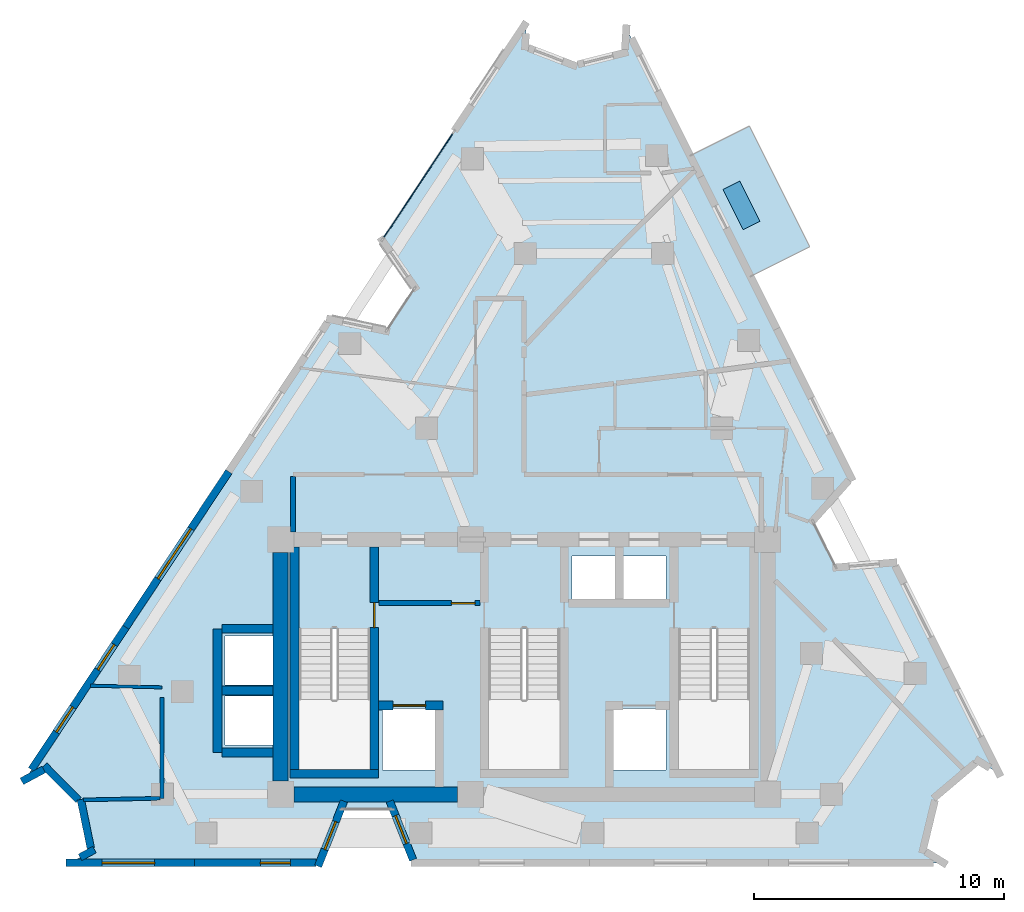
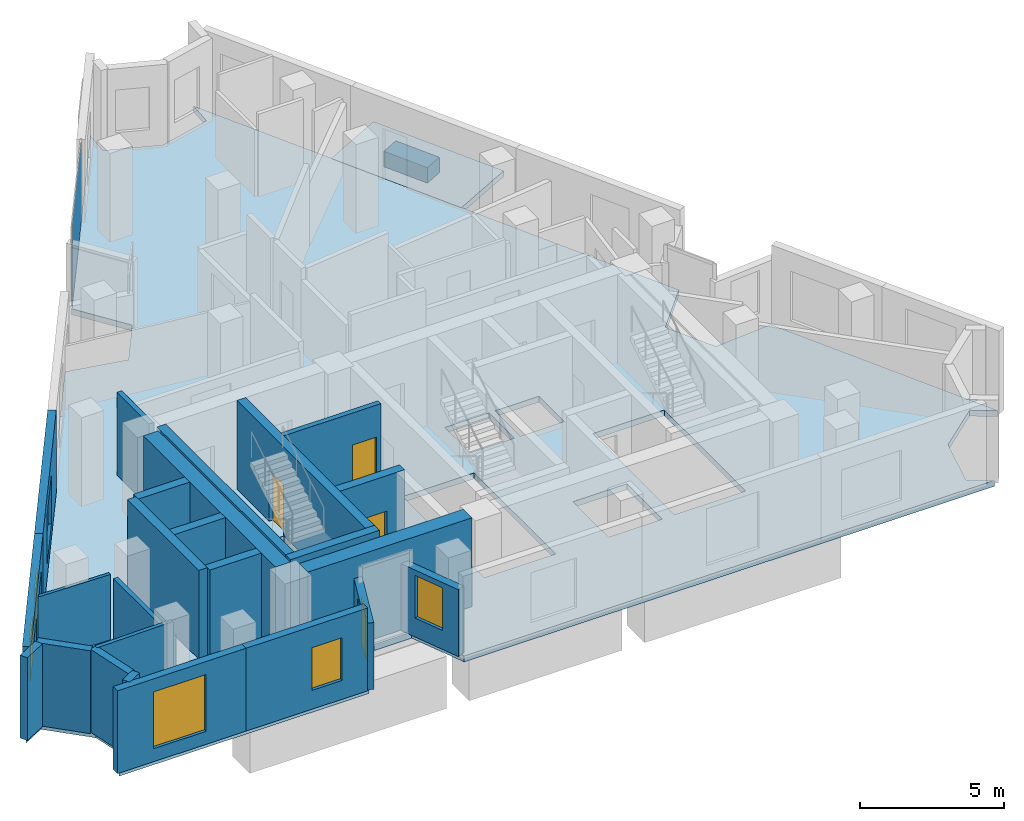
# One storey, part 5 of 9: 25 walls, 7 windows, 3 doors, 2 plates, 2 slabs, 10 openings, 1 element without a shape of its own.
"""IFC4 building model written with IfcOpenShell, lengths in metres."""

import ifcopenshell
import ifcopenshell.guid

model = None  # the IFC model being written
_history = None  # IfcOwnerHistory: only IFC2X3 demands one
_inside = {}  # id of a spatial element -> (the spatial element, [elements in it])
_under = {}  # id of a project, library or spatial element -> (it, [spatial elements below it])
_declared = {}  # id of a project -> (the project, [libraries it declares])
_typed = {}  # id of a type object -> (the type object, [elements of that type])
_made_of = {}  # id of a material, layer set ... -> (it, [elements and type objects made of it])


def new_model(schema):
    """Start an empty IFC model of exactly this schema.

    Asked for "IFC4X3", IfcOpenShell would pick the latest addendum, in which some entities
    have other attributes; the version numbers below select the first issue.
    IFC2X3 requires an IfcOwnerHistory on every rooted entity: one is made here for all.
    """
    global model, _history
    if schema == "IFC4X3":
        model = ifcopenshell.file(schema_version=(4, 3, 0, 0))
    else:
        model = ifcopenshell.file(schema=schema)
    _inside.clear()
    _under.clear()
    _declared.clear()
    _typed.clear()
    _made_of.clear()
    _history = None
    if model.schema == "IFC2X3":
        org = make("IfcOrganization", Name="unknown")
        user = make(
            "IfcPersonAndOrganization",
            ThePerson=make("IfcPerson", FamilyName="unknown"),
            TheOrganization=org,
        )
        app = make(
            "IfcApplication",
            ApplicationDeveloper=org,
            Version="unknown",
            ApplicationFullName="unknown",
            ApplicationIdentifier="unknown",
        )
        _history = make(
            "IfcOwnerHistory",
            OwningUser=user,
            OwningApplication=app,
            ChangeAction="ADDED",
            CreationDate=0,
        )
    return model


def make(cls, **values):
    """One entity of the class cls with the attributes given. An attribute that is None is left unset."""
    return model.create_entity(
        cls, **{name: value for name, value in values.items() if value is not None}
    )


def rooted(cls, **values):
    """An entity with a GlobalId (a new one), such as an element, a storey or a relation."""
    return make(cls, GlobalId=ifcopenshell.guid.new(), OwnerHistory=_history, **values)


def si_unit(unit_type, name, prefix=None):
    """IfcSIUnit, for example si_unit("LENGTHUNIT", "METRE", prefix="MILLI")."""
    return make("IfcSIUnit", UnitType=unit_type, Prefix=prefix, Name=name)


def assignment(units):
    """IfcUnitAssignment: the units of a project."""
    return None if units is None else make("IfcUnitAssignment", Units=units)


def point(xyz):
    """IfcCartesianPoint."""
    return None if xyz is None else make("IfcCartesianPoint", Coordinates=xyz)


def direction(xyz):
    """IfcDirection."""
    return None if xyz is None else make("IfcDirection", DirectionRatios=xyz)


def frame(location, z_axis=None, x_axis=None):
    """IfcAxis2Placement3D, a coordinate frame: its origin and axes. An axis left out is left unset."""
    return make(
        "IfcAxis2Placement3D",
        Location=point(location),
        Axis=direction(z_axis),
        RefDirection=direction(x_axis),
    )


def frame_2d(location, x_axis=None):
    """IfcAxis2Placement2D, a coordinate frame in the plane: its origin and x axis."""
    return make(
        "IfcAxis2Placement2D", Location=point(location), RefDirection=direction(x_axis)
    )


def origin():
    """The frame at (0, 0, 0) with its axes left unset."""
    return frame((0.0, 0.0, 0.0))


def origin_2d():
    """The frame at (0, 0) in the plane with its x axis left unset."""
    return frame_2d((0.0, 0.0))


def place(relative_to, where):
    """IfcLocalPlacement: puts the frame where relative to a parent placement (None: the world)."""
    return make(
        "IfcLocalPlacement", PlacementRelTo=relative_to, RelativePlacement=where
    )


def context(
    kind, dimensions, precision=None, world=None, true_north=None, identifier=None
):
    """IfcGeometricRepresentationContext, for example the 3D "Model" context."""
    return make(
        "IfcGeometricRepresentationContext",
        ContextIdentifier=identifier,
        ContextType=kind,
        CoordinateSpaceDimension=dimensions,
        Precision=precision,
        WorldCoordinateSystem=world,
        TrueNorth=true_north,
    )


def subcontext(parent, identifier, kind, view, scale=None):
    """IfcGeometricRepresentationSubContext, for example "Body" below "Model"."""
    return make(
        "IfcGeometricRepresentationSubContext",
        ContextIdentifier=identifier,
        ContextType=kind,
        ParentContext=parent,
        TargetScale=scale,
        TargetView=view,
    )


def project(units=None, contexts=None):
    """IfcProject with its units and contexts."""
    return rooted(
        "IfcProject",
        Name="project",
        RepresentationContexts=contexts,
        UnitsInContext=assignment(units),
    )


def spatial(cls, under=None, at=None, **own):
    """A site, building, storey or space (cls), placed at a placement, below another one or the project."""
    s = rooted(cls, ObjectPlacement=at, **own)
    if under is not None:
        _under.setdefault(under.id(), (under, []))[1].append(s)
    return s


def polyline(points):
    """IfcPolyline through the points."""
    return make("IfcPolyline", Points=[point(p) for p in points])


def profile(cls, at=None, kind="AREA", **sizes):
    """A parametric profile (cls). Its sizes go by their IFC names, for example OverallWidth=200.0."""
    return make(cls, ProfileType=kind, Position=at, **sizes)


def rectangle(**sizes):
    """IfcRectangleProfileDef."""
    return profile("IfcRectangleProfileDef", **sizes)


def outline(outer, holes=None, kind="AREA"):
    """IfcArbitraryClosedProfileDef: a profile drawn as a closed curve; with holes, ...WithVoids."""
    if holes is None:
        return make("IfcArbitraryClosedProfileDef", ProfileType=kind, OuterCurve=outer)
    return make(
        "IfcArbitraryProfileDefWithVoids",
        ProfileType=kind,
        OuterCurve=outer,
        InnerCurves=holes,
    )


def extrude(swept, where, along, depth):
    """IfcExtrudedAreaSolid: the profile swept, set in the frame where, extruded along a direction by depth."""
    return make(
        "IfcExtrudedAreaSolid",
        SweptArea=swept,
        Position=where,
        ExtrudedDirection=direction(along),
        Depth=depth,
    )


def shape(context_of_items, identifier, shape_type, items):
    """IfcShapeRepresentation: the items that make up one representation, for example the "Body"."""
    return make(
        "IfcShapeRepresentation",
        ContextOfItems=context_of_items,
        RepresentationIdentifier=identifier,
        RepresentationType=shape_type,
        Items=items,
    )


def material(Name=None, Category=None):
    """IfcMaterial."""
    return make("IfcMaterial", Name=Name, Category=Category)


def layer(
    of_material, thickness, ventilated=None, Name=None, Category=None, Priority=None
):
    """IfcMaterialLayer: one layer of a wall or slab, of a material (None: an air gap)."""
    return make(
        "IfcMaterialLayer",
        Material=of_material,
        LayerThickness=thickness,
        IsVentilated=ventilated,
        Name=Name,
        Category=Category,
        Priority=Priority,
    )


def layer_set(layers, Name=None):
    """IfcMaterialLayerSet."""
    return make("IfcMaterialLayerSet", MaterialLayers=layers, LayerSetName=Name)


def made_of(thing, what):
    """Note that an element or type object is made of a material, layer set ...; save() writes the relation."""
    if what is not None:
        _made_of.setdefault(what.id(), (what, []))[1].append(thing)
    return thing


def type_object(cls, material=None, **own):
    """A type object (cls), such as IfcWallType, which elements share."""
    return made_of(rooted(cls, **own), material)


def element(
    cls,
    number,
    at=None,
    inside=None,
    cuts=None,
    type_object=None,
    material=None,
    context=None,
    identifier="Body",
    shape_type=None,
    held_by="IfcProductDefinitionShape",
    body=None,
    shapes=None,
    **own,
):
    """One element of the class cls, such as IfcWall. Its Tag is "e" and its number.

    at: its placement. inside: the storey or other place that contains it. cuts: it is an
    opening in that element (IfcRelVoidsElement). A single representation is given by context,
    identifier, shape_type and body (its items); several are given by shapes. held_by: the class
    of the entity that holds the representations. save() writes the other relations.
    """
    e = rooted(cls, Tag="e%d" % number, ObjectPlacement=at, **own)
    if body is not None:
        shapes = [shape(context, identifier, shape_type, body)]
    if shapes is not None:
        e.Representation = make(held_by, Representations=shapes)
    if inside is not None:
        _inside.setdefault(inside.id(), (inside, []))[1].append(e)
    if cuts is not None:
        rooted(
            "IfcRelVoidsElement", RelatingBuildingElement=cuts, RelatedOpeningElement=e
        )
    if type_object is not None:
        _typed.setdefault(type_object.id(), (type_object, []))[1].append(e)
    return made_of(e, material)


def fill(opening, filler):
    """IfcRelFillsElement: the door or window that sits in an opening."""
    return rooted(
        "IfcRelFillsElement",
        RelatingOpeningElement=opening,
        RelatedBuildingElement=filler,
    )


def aggregate(whole, parts):
    """IfcRelAggregates: a whole, such as a stair, and the parts it consists of."""
    return rooted("IfcRelAggregates", RelatingObject=whole, RelatedObjects=parts)


def save(model, path):
    """Write the relations noted so far, then the file.

    IfcRelAggregates (storeys below a building ...), IfcRelContainedInSpatialStructure (elements
    in a storey), IfcRelDefinesByType, IfcRelAssociatesMaterial and IfcRelDeclares: one each for
    every whole, place, type object, material and project.
    """
    for whole, parts in _under.values():
        aggregate(whole, parts)
    for where, things in _inside.values():
        rooted(
            "IfcRelContainedInSpatialStructure",
            RelatedElements=things,
            RelatingStructure=where,
        )
    for kind, things in _typed.values():
        rooted("IfcRelDefinesByType", RelatedObjects=things, RelatingType=kind)
    for what, things in _made_of.values():
        rooted("IfcRelAssociatesMaterial", RelatedObjects=things, RelatingMaterial=what)
    for by, libraries in _declared.values():
        rooted("IfcRelDeclares", RelatingContext=by, RelatedDefinitions=libraries)
    model.write(path)


model = new_model("IFC4")

# Units and contexts
model_context = context("Model", 3, precision=1e-05, world=origin(), true_north=direction((0.0, 1.0)))
body_context = subcontext(model_context, "Body", "Model", "MODEL_VIEW")
ifc_project = project(units=[si_unit("LENGTHUNIT", "METRE"), si_unit("AREAUNIT", "SQUARE_METRE"), si_unit("VOLUMEUNIT", "CUBIC_METRE"), si_unit("PLANEANGLEUNIT", "RADIAN"), si_unit("MASSUNIT", "GRAM", prefix="KILO")], contexts=[model_context])

# Site, building, storey
site_placement = place(None, origin())
site = spatial("IfcSite", under=ifc_project, at=site_placement, CompositionType="ELEMENT")
building_placement = place(site_placement, origin())
building = spatial("IfcBuilding", under=site, at=building_placement, Name="Almagre Mirador Tower", CompositionType="ELEMENT")
storey_placement = place(building_placement, frame((0.0, 0.0, 252.0)))
storey = spatial("IfcBuildingStorey", under=building, at=storey_placement, Name="L65", CompositionType="ELEMENT", Elevation=252.0)

# Curtain wall, plate
ifc_material_1 = material(Name="Black anodized aluminium", Category="aluminium")
ifc_layer_1 = layer(ifc_material_1, 0.199951171875)
ifc_layer_set_1 = layer_set([ifc_layer_1], Name="Black anodized aluminium")
curtain_wall_type = type_object("IfcCurtainWallType", Name="CW-RES-H-SYS", PredefinedType="NOTDEFINED", material=ifc_layer_set_1)
curtain_wall_placement = place(storey_placement, origin())
curtain_wall = element("IfcCurtainWall", 1, at=curtain_wall_placement, inside=storey, type_object=curtain_wall_type, Name="L65 curtain wall run 02", PredefinedType="NOTDEFINED")
ifc_material_2 = material(Name="Dark solar-control laminated hurricane glass", Category="glass")
ifc_layer_2 = layer(ifc_material_2, 0.035888671875)
ifc_layer_set_2 = layer_set([ifc_layer_2], Name="Dark solar-control laminated hurricane glass")
plate_type_1 = type_object("IfcPlateType", Name="PLT-GLZ-36", PredefinedType="CURTAIN_PANEL", material=ifc_layer_set_2)
plate_1_placement = place(storey_placement, frame((33.056884765625, 28.9189453125, 0.06494140625), z_axis=(0.0, 0.0, 1.0), x_axis=(0.552140418377, 0.833751136967, 0.0)))
plate_1 = element("IfcPlate", 2, at=plate_1_placement, type_object=plate_type_1, Name="CW-3 panel 1.1", PredefinedType="CURTAIN_PANEL", context=body_context, shape_type="SweptSolid", body=[
    extrude(rectangle(XDim=5.104248046875, YDim=0.035888671875, at=origin_2d()), origin(), (0.0, 0.0, 1.0), 3.3701171875),
])
aggregate(curtain_wall, [plate_1])

# Plate
ifc_material_3 = material(Name="Precast concrete C50/60", Category="concrete")
ifc_layer_3 = layer(ifc_material_3, 0.64990234375)
ifc_layer_set_3 = layer_set([ifc_layer_3], Name="Precast concrete C50/60")
plate_type_2 = type_object("IfcPlateType", Name="PLT-PLANTER-1800", PredefinedType="USERDEFINED", material=ifc_layer_set_3)
plate_2_placement = place(storey_placement, frame((46.0, 28.125, 0.0), z_axis=(0.0, 0.0, 1.0), x_axis=(-0.44721279659, 0.894427590455, 0.0)))
element("IfcPlate", 3, at=plate_2_placement, inside=storey, type_object=plate_type_2, Name="L65 east balcony structural tree planter 1", ObjectType="PLANTER", PredefinedType="USERDEFINED", context=body_context, shape_type="SweptSolid", body=[
    extrude(rectangle(XDim=1.800048828125, YDim=0.75, at=origin_2d()), origin(), (0.0, 0.0, 1.0), 0.64990234375),
])

# Slabs
ifc_material_4 = material(Name="Concrete C45/55", Category="concrete")
ifc_layer_4 = layer(ifc_material_4, 0.239990234375)
ifc_layer_set_4 = layer_set([ifc_layer_4], Name="Concrete C45/55")
slab_type_1 = type_object("IfcSlabType", Name="SLB-BAL-240", PredefinedType="USERDEFINED", material=ifc_layer_set_4)
slab_1_placement = place(storey_placement, frame((0.0, 0.0, -0.239990234375)))
element("IfcSlab", 4, at=slab_1_placement, inside=storey, type_object=slab_type_1, Name="L65 east planted tree balcony 1", ObjectType="BALCONY", PredefinedType="USERDEFINED", context=body_context, shape_type="SweptSolid", body=[
    extrude(outline(polyline([(46.339111328125, 25.27587890625), (43.925048828125, 30.10595703125), (46.31298828125, 31.300048828125), (48.72802734375, 26.469970703125), (46.339111328125, 25.27587890625)])), origin(), (0.0, 0.0, 1.0), 0.239990234375),
])
ifc_material_5 = material(Name="Concrete C45/55", Category="concrete")
ifc_layer_5 = layer(ifc_material_5, 0.25)
ifc_layer_set_5 = layer_set([ifc_layer_5], Name="Concrete C45/55")
slab_type_2 = type_object("IfcSlabType", Name="SLB-FLR-250", PredefinedType="FLOOR", material=ifc_layer_set_5)
slab_2_placement = place(storey_placement, frame((0.0, 0.0, -0.25)))
element("IfcSlab", 5, at=slab_2_placement, inside=storey, type_object=slab_type_2, Name="L65 structural floor slab", PredefinedType="FLOOR", context=body_context, shape_type="SweptSolid", body=[
    extrude(outline(polyline([(17.30810546875, 5.135009765625), (18.180908203125, 5.60400390625), (19.574951171875, 4.2041015625), (19.971923828125, 2.26904296875), (19.10009765625, 1.800048828125), (29.10009765625, 1.800048828125), (29.955078125, 3.949951171875), (32.044921875, 3.949951171875), (32.89990234375, 1.800048828125), (54.10009765625, 1.800048828125), (53.258056640625, 2.320068359375), (53.779052734375, 4.470947265625), (55.468994140625, 5.89794921875), (56.31103515625, 5.3779296875), (52.0869140625, 13.824951171875), (49.781982421875, 13.62890625), (48.846923828125, 15.498046875), (50.387939453125, 17.22412109375), (41.388916015625, 35.221923828125), (41.3291015625, 34.23388671875), (39.2919921875, 33.72900390625), (37.33203125, 34.47705078125), (37.39208984375, 35.465087890625), (31.612060546875, 26.737060546875), (32.93310546875, 24.8369140625), (31.779052734375, 23.093994140625), (29.513916015625, 23.569091796875), (17.30810546875, 5.135009765625)]), holes=[polyline([(43.47509765625, 5.550048828125), (43.47509765625, 11.196044921875), (46.324951171875, 11.196044921875), (46.324951171875, 5.550048828125), (43.47509765625, 5.550048828125)]), polyline([(41.219970703125, 12.320068359375), (41.219970703125, 14.080078125), (42.97998046875, 14.080078125), (42.97998046875, 12.320068359375), (41.219970703125, 12.320068359375)]), polyline([(42.97998046875, 5.52001953125), (40.820068359375, 5.52001953125), (40.820068359375, 7.97998046875), (42.97998046875, 7.97998046875), (42.97998046875, 5.52001953125)]), polyline([(39.219970703125, 12.320068359375), (39.219970703125, 14.080078125), (40.97998046875, 14.080078125), (40.97998046875, 12.320068359375), (39.219970703125, 12.320068359375)]), polyline([(35.875, 5.550048828125), (35.875, 11.196044921875), (38.72509765625, 11.196044921875), (38.72509765625, 5.550048828125), (35.875, 5.550048828125)]), polyline([(33.780029296875, 5.52001953125), (31.6201171875, 5.52001953125), (31.6201171875, 7.97998046875), (33.780029296875, 7.97998046875), (33.780029296875, 5.52001953125)]), polyline([(28.27490234375, 5.550048828125), (28.27490234375, 11.196044921875), (31.125, 11.196044921875), (31.125, 5.550048828125), (28.27490234375, 5.550048828125)]), polyline([(27.3798828125, 6.52001953125), (25.320068359375, 6.52001953125), (25.320068359375, 8.47998046875), (27.3798828125, 8.47998046875), (27.3798828125, 6.52001953125)]), polyline([(27.3798828125, 8.919921875), (25.320068359375, 8.919921875), (25.320068359375, 10.8798828125), (27.3798828125, 10.8798828125), (27.3798828125, 8.919921875)])]), origin(), (0.0, 0.0, 1.0), 0.25),
])

# Wall, opening, window
ifc_material_6 = material(Name="Precast concrete C50/60", Category="concrete")
ifc_layer_6 = layer(ifc_material_6, 0.300048828125)
ifc_layer_set_6 = layer_set([ifc_layer_6], Name="Precast concrete C50/60")
wall_type_1 = type_object("IfcWallType", Name="WAL-EXT-300", PredefinedType="SOLIDWALL", material=ifc_layer_set_6)
wall_1_placement = place(storey_placement, frame((32.85009765625, 1.92529296875, 0.0), z_axis=(0.0, 0.0, 1.0), x_axis=(-0.369457562636, 0.929247603931, 0.0)))
wall_1 = element("IfcWall", 6, at=wall_1_placement, inside=storey, type_object=wall_type_1, Name="L65 expressed almagre precast frame wall 22", PredefinedType="SOLIDWALL", context=body_context, shape_type="SweptSolid", body=[
    extrude(rectangle(XDim=2.52685546875, YDim=0.300048828125, at=frame_2d((1.263427734375, 0.0))), origin(), (0.0, 0.0, 1.0), 2.824951171875),
])
opening_1_placement = place(wall_1_placement, frame((0.706298828125, 0.0, 0.800048828125)))
opening_1 = element("IfcOpeningElement", 7, at=opening_1_placement, cuts=wall_1, Name="Opening WN-04", PredefinedType="OPENING", context=body_context, shape_type="SweptSolid", body=[
    extrude(rectangle(XDim=1.199951171875, YDim=1.800048828125, at=frame_2d((0.60009765625, 0.89990234375))), frame((0.0, 0.159902, 0.0), z_axis=(0.0, -1.0, 0.0), x_axis=(1.0, 0.0, 0.0)), (0.0, 0.0, 1.0), 0.320049),
])
ifc_material_7 = material(Name="Dark solar-control laminated hurricane glass", Category="glass")
window_type_1 = type_object("IfcWindowType", Name="WIN-1200X1800", PartitioningType="SINGLE_PANEL", PredefinedType="WINDOW", material=ifc_material_7)
window_1_placement = place(opening_1_placement, origin())
window_1 = element("IfcWindow", 8, at=window_1_placement, inside=storey, type_object=window_type_1, Name="L65 recessed hurricane window L65-RST-B", OverallHeight=1.800048828125, OverallWidth=1.199951171875, PartitioningType="SINGLE_PANEL", PredefinedType="WINDOW", context=body_context, shape_type="SweptSolid", body=[
    extrude(rectangle(XDim=1.199951171875, YDim=1.800048828125, at=frame_2d((0.60009765625, 0.89990234375))), frame((0.0, 0.030029296875, 0.0), z_axis=(0.0, -1.0, 0.0), x_axis=(1.0, 0.0, 0.0)), (0.0, 0.0, 1.0), 0.06005859375),
])
fill(opening_1, window_1)

wall_2_placement = place(storey_placement, frame((30.08349609375, 4.2734375, 0.0), z_axis=(0.0, 0.0, 1.0), x_axis=(-0.369466825356, -0.929243921132, 0.0)))
wall_2 = element("IfcWall", 9, at=wall_2_placement, inside=storey, type_object=wall_type_1, Name="L65 expressed almagre precast frame wall 23", PredefinedType="SOLIDWALL", context=body_context, shape_type="SweptSolid", body=[
    extrude(rectangle(XDim=2.8017578125, YDim=0.300048828125, at=frame_2d((1.40087890625, 0.0))), origin(), (0.0, 0.0, 1.0), 2.824951171875),
])
opening_2_placement = place(wall_2_placement, frame((0.883056640625, 0.0, 0.800048828125)))
opening_2 = element("IfcOpeningElement", 10, at=opening_2_placement, cuts=wall_2, Name="Opening WN-04", PredefinedType="OPENING", context=body_context, shape_type="SweptSolid", body=[
    extrude(rectangle(XDim=1.199951171875, YDim=1.800048828125, at=frame_2d((0.60009765625, 0.89990234375))), frame((0.0, 0.159902, 0.0), z_axis=(0.0, -1.0, 0.0), x_axis=(1.0, 0.0, 0.0)), (0.0, 0.0, 1.0), 0.320049),
])
window_2_placement = place(opening_2_placement, origin())
window_2 = element("IfcWindow", 11, at=window_2_placement, inside=storey, type_object=window_type_1, Name="L65 recessed hurricane window L65-RST-B", OverallHeight=1.800048828125, OverallWidth=1.199951171875, PartitioningType="SINGLE_PANEL", PredefinedType="WINDOW", context=body_context, shape_type="SweptSolid", body=[
    extrude(rectangle(XDim=1.199951171875, YDim=1.800048828125, at=frame_2d((0.60009765625, 0.89990234375))), frame((0.0, 0.030029296875, 0.0), z_axis=(0.0, -1.0, 0.0), x_axis=(1.0, 0.0, 0.0)), (0.0, 0.0, 1.0), 0.06005859375),
])
fill(opening_2, window_2)

wall_3_placement = place(storey_placement, frame((28.9599609375, 1.800048828125, 0.0), z_axis=(0.0, 0.0, 1.0), x_axis=(-1.0, 0.0, 0.0)))
wall_3 = element("IfcWall", 12, at=wall_3_placement, inside=storey, type_object=wall_type_1, Name="L65 expressed almagre precast frame wall 24", PredefinedType="SOLIDWALL", context=body_context, shape_type="SweptSolid", body=[
    extrude(rectangle(XDim=4.85986328125, YDim=0.300048828125, at=frame_2d((2.429931640625, 0.0))), origin(), (0.0, 0.0, 1.0), 3.5),
])
opening_3_placement = place(wall_3_placement, frame((1.02001953125, 0.0, 0.800048828125)))
opening_3 = element("IfcOpeningElement", 13, at=opening_3_placement, cuts=wall_3, Name="Opening WN-04", PredefinedType="OPENING", context=body_context, shape_type="SweptSolid", body=[
    extrude(rectangle(XDim=1.199951171875, YDim=1.800048828125, at=frame_2d((0.60009765625, 0.89990234375))), frame((0.0, 0.159902, 0.0), z_axis=(0.0, -1.0, 0.0), x_axis=(1.0, 0.0, 0.0)), (0.0, 0.0, 1.0), 0.320049),
])
window_3_placement = place(opening_3_placement, origin())
window_3 = element("IfcWindow", 14, at=window_3_placement, inside=storey, type_object=window_type_1, Name="L65 recessed hurricane window L65-RST-B", OverallHeight=1.800048828125, OverallWidth=1.199951171875, PartitioningType="SINGLE_PANEL", PredefinedType="WINDOW", context=body_context, shape_type="SweptSolid", body=[
    extrude(rectangle(XDim=1.199951171875, YDim=1.800048828125, at=frame_2d((0.60009765625, 0.89990234375))), frame((0.0, 0.030029296875, 0.0), z_axis=(0.0, -1.0, 0.0), x_axis=(1.0, 0.0, 0.0)), (0.0, 0.0, 1.0), 0.06005859375),
])
fill(opening_3, window_3)

wall_4_placement = place(storey_placement, frame((24.10009765625, 1.800048828125, 0.0), z_axis=(0.0, 0.0, 1.0), x_axis=(-1.0, 0.0, 0.0)))
wall_4 = element("IfcWall", 15, at=wall_4_placement, inside=storey, type_object=wall_type_1, Name="L65 expressed almagre precast frame wall 25", PredefinedType="SOLIDWALL", context=body_context, shape_type="SweptSolid", body=[
    extrude(rectangle(XDim=5.14013671875, YDim=0.300048828125, at=frame_2d((2.570068359375, 0.0))), origin(), (0.0, 0.0, 1.0), 3.5),
])
opening_4_placement = place(wall_4_placement, frame((1.60009765625, 0.0, 0.550048828125)))
opening_4 = element("IfcOpeningElement", 16, at=opening_4_placement, cuts=wall_4, Name="Opening WN-05", PredefinedType="OPENING", context=body_context, shape_type="SweptSolid", body=[
    extrude(rectangle(XDim=2.10009765625, YDim=2.39990234375, at=frame_2d((1.050048828125, 1.199951171875))), frame((0.0, 0.159902, 0.0), z_axis=(0.0, -1.0, 0.0), x_axis=(1.0, 0.0, 0.0)), (0.0, 0.0, 1.0), 0.320049),
])
ifc_material_8 = material(Name="Dark solar-control laminated hurricane glass", Category="glass")
window_type_2 = type_object("IfcWindowType", Name="WIN-2100X2400", PartitioningType="DOUBLE_PANEL_VERTICAL", PredefinedType="WINDOW", material=ifc_material_8)
window_4_placement = place(opening_4_placement, origin())
window_4 = element("IfcWindow", 17, at=window_4_placement, inside=storey, type_object=window_type_2, Name="L65 recessed hurricane window L65-UA-HB", OverallHeight=2.39990234375, OverallWidth=2.10009765625, PartitioningType="SINGLE_PANEL", PredefinedType="WINDOW", context=body_context, shape_type="SweptSolid", body=[
    extrude(rectangle(XDim=2.10009765625, YDim=2.39990234375, at=frame_2d((1.050048828125, 1.199951171875))), frame((0.0, 0.030029296875, 0.0), z_axis=(0.0, -1.0, 0.0), x_axis=(1.0, 0.0, 0.0)), (0.0, 0.0, 1.0), 0.06005859375),
])
fill(opening_4, window_4)

# Walls
wall_5_placement = place(storey_placement, frame((19.518310546875, 2.02490234375, 0.0), z_axis=(0.0, 0.0, 1.0), x_axis=(0.8806864219, 0.47369972164, 0.0)))
element("IfcWall", 18, at=wall_5_placement, inside=storey, type_object=wall_type_1, Name="L65 expressed almagre precast frame wall 26", PredefinedType="SOLIDWALL", context=body_context, shape_type="SweptSolid", body=[
    extrude(rectangle(XDim=0.655029296875, YDim=0.300048828125, at=frame_2d((0.32763671875, 0.0))), origin(), (0.0, 0.0, 1.0), 3.5),
])
wall_6_placement = place(storey_placement, frame((19.94580078125, 2.396484375, 0.0), z_axis=(0.0, 0.0, 1.0), x_axis=(-0.200962300898, 0.979598975917, 0.0)))
element("IfcWall", 19, at=wall_6_placement, inside=storey, type_object=wall_type_1, Name="L65 expressed almagre precast frame wall 27", PredefinedType="SOLIDWALL", context=body_context, shape_type="SweptSolid", body=[
    extrude(rectangle(XDim=1.985107421875, YDim=0.300048828125, at=frame_2d((0.99267578125, 0.0))), origin(), (0.0, 0.0, 1.0), 3.5),
])
wall_7_placement = place(storey_placement, frame((19.465576171875, 4.313720703125, 0.0), z_axis=(0.0, 0.0, 1.0), x_axis=(-0.705548527825, 0.708661608163, 0.0)))
element("IfcWall", 20, at=wall_7_placement, inside=storey, type_object=wall_type_1, Name="L65 expressed almagre precast frame wall 28", PredefinedType="SOLIDWALL", context=body_context, shape_type="SweptSolid", body=[
    extrude(rectangle(XDim=1.960693359375, YDim=0.300048828125, at=frame_2d((0.98046875, 0.0))), origin(), (0.0, 0.0, 1.0), 3.5),
])
wall_8_placement = place(storey_placement, frame((18.06640625, 5.54248046875, 0.0), z_axis=(0.0, 0.0, 1.0), x_axis=(-0.880815496191, -0.473459672696, 0.0)))
element("IfcWall", 21, at=wall_8_placement, inside=storey, type_object=wall_type_1, Name="L65 expressed almagre precast frame wall 29", PredefinedType="SOLIDWALL", context=body_context, shape_type="SweptSolid", body=[
    extrude(rectangle(XDim=1.0009765625, YDim=0.300048828125, at=frame_2d((0.50048828125, 0.0))), origin(), (0.0, 0.0, 1.0), 3.5),
])

# Wall, openings, windows
wall_9_placement = place(storey_placement, frame((17.572998046875, 5.53515625, 0.0), z_axis=(0.0, 0.0, 1.0), x_axis=(0.552079243774, 0.833791645793, 0.0)))
wall_9 = element("IfcWall", 22, at=wall_9_placement, inside=storey, type_object=wall_type_1, Name="L65 expressed almagre precast frame wall 30", PredefinedType="SOLIDWALL", context=body_context, shape_type="SweptSolid", body=[
    extrude(rectangle(XDim=6.843017578125, YDim=0.300048828125, at=frame_2d((3.42138671875, 0.0))), origin(), (0.0, 0.0, 1.0), 3.5),
])
opening_5_placement = place(wall_9_placement, frame((4.804931640625, 0.0, 0.800048828125)))
opening_5 = element("IfcOpeningElement", 23, at=opening_5_placement, cuts=wall_9, Name="Opening WN-04", PredefinedType="OPENING", context=body_context, shape_type="SweptSolid", body=[
    extrude(rectangle(XDim=1.199951171875, YDim=1.800048828125, at=frame_2d((0.60009765625, 0.89990234375))), frame((0.0, 0.159902, 0.0), z_axis=(0.0, -1.0, 0.0), x_axis=(1.0, 0.0, 0.0)), (0.0, 0.0, 1.0), 0.320049),
])
opening_6_placement = place(wall_9_placement, frame((1.804931640625, 0.0, 0.800048828125)))
opening_6 = element("IfcOpeningElement", 24, at=opening_6_placement, cuts=wall_9, Name="Opening WN-04", PredefinedType="OPENING", context=body_context, shape_type="SweptSolid", body=[
    extrude(rectangle(XDim=1.199951171875, YDim=1.800048828125, at=frame_2d((0.60009765625, 0.89990234375))), frame((0.0, 0.159902, 0.0), z_axis=(0.0, -1.0, 0.0), x_axis=(1.0, 0.0, 0.0)), (0.0, 0.0, 1.0), 0.320049),
])
window_5_placement = place(opening_5_placement, origin())
window_5 = element("IfcWindow", 25, at=window_5_placement, inside=storey, type_object=window_type_1, Name="L65 recessed hurricane window L65-UA-KT", OverallHeight=1.800048828125, OverallWidth=1.199951171875, PartitioningType="SINGLE_PANEL", PredefinedType="WINDOW", context=body_context, shape_type="SweptSolid", body=[
    extrude(rectangle(XDim=1.199951171875, YDim=1.800048828125, at=frame_2d((0.60009765625, 0.89990234375))), frame((0.0, 0.030029296875, 0.0), z_axis=(0.0, -1.0, 0.0), x_axis=(1.0, 0.0, 0.0)), (0.0, 0.0, 1.0), 0.06005859375),
])
fill(opening_5, window_5)
window_6_placement = place(opening_6_placement, origin())
window_6 = element("IfcWindow", 26, at=window_6_placement, inside=storey, type_object=window_type_1, Name="L65 recessed hurricane window L65-UA-MB", OverallHeight=1.800048828125, OverallWidth=1.199951171875, PartitioningType="SINGLE_PANEL", PredefinedType="WINDOW", context=body_context, shape_type="SweptSolid", body=[
    extrude(rectangle(XDim=1.199951171875, YDim=1.800048828125, at=frame_2d((0.60009765625, 0.89990234375))), frame((0.0, 0.030029296875, 0.0), z_axis=(0.0, -1.0, 0.0), x_axis=(1.0, 0.0, 0.0)), (0.0, 0.0, 1.0), 0.06005859375),
])
fill(opening_6, window_6)

# Wall, opening, window
wall_10_placement = place(storey_placement, frame((21.350830078125, 11.24072265625, 0.0), z_axis=(0.0, 0.0, 1.0), x_axis=(0.552108099649, 0.833772538707, 0.0)))
wall_10 = element("IfcWall", 27, at=wall_10_placement, inside=storey, type_object=wall_type_1, Name="L65 expressed almagre precast frame wall 31", PredefinedType="SOLIDWALL", context=body_context, shape_type="SweptSolid", body=[
    extrude(rectangle(XDim=7.462890625, YDim=0.300048828125, at=frame_2d((3.7314453125, 0.0))), origin(), (0.0, 0.0, 1.0), 3.5),
])
opening_7_placement = place(wall_10_placement, frame((2.324951171875, 0.0, 0.60009765625)))
opening_7 = element("IfcOpeningElement", 28, at=opening_7_placement, cuts=wall_10, Name="Opening WN-02", PredefinedType="OPENING", context=body_context, shape_type="SweptSolid", body=[
    extrude(rectangle(XDim=2.39990234375, YDim=2.10009765625, at=frame_2d((1.199951171875, 1.050048828125))), frame((0.0, 0.159902, 0.0), z_axis=(0.0, -1.0, 0.0), x_axis=(1.0, 0.0, 0.0)), (0.0, 0.0, 1.0), 0.320049),
])
ifc_material_9 = material(Name="Dark solar-control laminated hurricane glass", Category="glass")
window_type_3 = type_object("IfcWindowType", Name="WIN-2400X2100", PartitioningType="TRIPLE_PANEL_VERTICAL", PredefinedType="WINDOW", material=ifc_material_9)
window_7_placement = place(opening_7_placement, origin())
window_7 = element("IfcWindow", 29, at=window_7_placement, inside=storey, type_object=window_type_3, Name="L65 recessed hurricane window L65-UA-LV", OverallHeight=2.10009765625, OverallWidth=2.39990234375, PartitioningType="SINGLE_PANEL", PredefinedType="WINDOW", context=body_context, shape_type="SweptSolid", body=[
    extrude(rectangle(XDim=2.39990234375, YDim=2.10009765625, at=frame_2d((1.199951171875, 1.050048828125))), frame((0.0, 0.030029296875, 0.0), z_axis=(0.0, -1.0, 0.0), x_axis=(1.0, 0.0, 0.0)), (0.0, 0.0, 1.0), 0.06005859375),
])
fill(opening_7, window_7)

# Walls
ifc_material_10 = material(Name="Gypsum acoustic stud partition", Category="other")
ifc_layer_7 = layer(ifc_material_10, 0.125)
ifc_layer_set_7 = layer_set([ifc_layer_7], Name="Gypsum acoustic stud partition")
wall_type_2 = type_object("IfcWallType", Name="WAL-PRT-125-UTL", PredefinedType="PARTITIONING", material=ifc_layer_set_7)
wall_11_placement = place(storey_placement, frame((19.93994140625, 8.89697265625, 0.0), z_axis=(0.0, 0.0, 1.0), x_axis=(0.999726593769, -0.023382423107, 0.0)))
element("IfcWall", 30, at=wall_11_placement, inside=storey, type_object=wall_type_2, Name="L65 interior partition 019", PredefinedType="PARTITIONING", context=body_context, shape_type="SweptSolid", body=[
    extrude(rectangle(XDim=2.86083984375, YDim=0.125, at=frame_2d((1.430419921875, 0.0))), origin(), (0.0, 0.0, 1.0), 2.763916015625),
])
ifc_material_11 = material(Name="Gypsum acoustic stud partition", Category="other")
ifc_layer_8 = layer(ifc_material_11, 0.14990234375)
ifc_layer_set_8 = layer_set([ifc_layer_8], Name="Gypsum acoustic stud partition")
wall_type_3 = type_object("IfcWallType", Name="WAL-PRT-150-STD", PredefinedType="PARTITIONING", material=ifc_layer_set_8)
wall_12_placement = place(storey_placement, frame((22.7275390625, 4.388671875, 0.0), z_axis=(0.0, 0.0, 1.0), x_axis=(-0.999792642329, -0.020363505237, 0.0)))
element("IfcWall", 31, at=wall_12_placement, inside=storey, type_object=wall_type_3, Name="L65 interior partition 018", PredefinedType="PARTITIONING", context=body_context, shape_type="SweptSolid", body=[
    extrude(rectangle(XDim=3.081298828125, YDim=0.14990234375, at=frame_2d((1.54052734375, 0.0))), origin(), (0.0, 0.0, 1.0), 3.5),
])
ifc_material_12 = material(Name="Gypsum acoustic stud partition", Category="other")
ifc_layer_9 = layer(ifc_material_12, 0.175048828125)
ifc_layer_set_9 = layer_set([ifc_layer_9], Name="Gypsum acoustic stud partition")
wall_type_4 = type_object("IfcWallType", Name="WAL-PRT-175-AC", PredefinedType="PARTITIONING", material=ifc_layer_set_9)
wall_13_placement = place(storey_placement, frame((22.800048828125, 8.429931640625, 0.0), z_axis=(0.0, 0.0, 1.0), x_axis=(0.0, -1.0, 0.0)))
element("IfcWall", 32, at=wall_13_placement, inside=storey, type_object=wall_type_4, Name="L65 interior partition 015", PredefinedType="PARTITIONING", context=body_context, shape_type="SweptSolid", body=[
    extrude(rectangle(XDim=4.0400390625, YDim=0.175048828125, at=frame_2d((2.02001953125, 0.0))), origin(), (0.0, 0.0, 1.0), 2.820068359375),
])

# Wall, opening, door
ifc_material_13 = material(Name="Gypsum acoustic stud partition", Category="other")
ifc_layer_10 = layer(ifc_material_13, 0.199951171875)
ifc_layer_set_10 = layer_set([ifc_layer_10], Name="Gypsum acoustic stud partition")
wall_type_5 = type_object("IfcWallType", Name="WAL-PRT-200-EI60", PredefinedType="PARTITIONING", material=ifc_layer_set_10)
wall_14_placement = place(storey_placement, frame((31.47998046875, 12.199951171875, 0.0), z_axis=(0.0, 0.0, 1.0), x_axis=(1.0, 0.0, 0.0)))
wall_14 = element("IfcWall", 33, at=wall_14_placement, inside=storey, type_object=wall_type_5, Name="L65 FFL-1 north enclosure wall", PredefinedType="PARTITIONING", context=body_context, shape_type="SweptSolid", body=[
    extrude(rectangle(XDim=4.0400390625, YDim=0.199951171875, at=frame_2d((2.02001953125, 0.0))), origin(), (0.0, 0.0, 1.0), 3.5),
])
opening_8_placement = place(wall_14_placement, frame((2.905029296875, 0.0, 0.0)))
opening_8 = element("IfcOpeningElement", 34, at=opening_8_placement, cuts=wall_14, Name="Opening ID-02", PredefinedType="OPENING", context=body_context, shape_type="SweptSolid", body=[
    extrude(rectangle(XDim=0.949951171875, YDim=2.14990234375, at=frame_2d((0.47509765625, 1.074951171875))), frame((0.0, 0.110098, 0.0), z_axis=(0.0, -1.0, 0.0), x_axis=(1.0, 0.0, 0.0)), (0.0, 0.0, 1.0), 0.219951),
])
ifc_material_14 = material(Name="Fire-rated walnut timber", Category="wood")
door_type_1 = type_object("IfcDoorType", Name="DOR-FD60-950X2150", OperationType="NOTDEFINED", PredefinedType="DOOR", material=ifc_material_14)
door_1_placement = place(opening_8_placement, origin())
door_1 = element("IfcDoor", 35, at=door_1_placement, inside=storey, type_object=door_type_1, Name="DR-1991 L65 FFL-1 north smoke door", OperationType="SINGLE_SWING_RIGHT", OverallHeight=2.14990234375, OverallWidth=0.949951171875, PredefinedType="DOOR", context=body_context, shape_type="SweptSolid", body=[
    extrude(rectangle(XDim=0.949951171875, YDim=2.14990234375, at=frame_2d((0.47509765625, 1.074951171875))), frame((0.0, 0.02490234375, 0.0), z_axis=(0.0, -1.0, 0.0), x_axis=(1.0, 0.0, 0.0)), (0.0, 0.0, 1.0), 0.050048828125),
])
fill(opening_8, door_1)

# Walls
wall_15_placement = place(storey_placement, frame((28.050048828125, 17.264892578125, 0.0), z_axis=(0.0, 0.0, 1.0), x_axis=(0.0, -1.0, 0.0)))
element("IfcWall", 36, at=wall_15_placement, inside=storey, type_object=wall_type_5, Name="L65 interior partition 004", PredefinedType="PARTITIONING", context=body_context, shape_type="SweptSolid", body=[
    extrude(rectangle(XDim=2.21484375, YDim=0.199951171875, at=frame_2d((1.107421875, 0.0))), origin(), (0.0, 0.0, 1.0), 3.5),
])
ifc_material_15 = material(Name="Concrete C60/75", Category="concrete")
ifc_layer_11 = layer(ifc_material_15, 0.35009765625)
ifc_layer_set_11 = layer_set([ifc_layer_11], Name="Concrete C60/75")
wall_type_6 = type_object("IfcWallType", Name="WAL-SHF-350", PredefinedType="SOLIDWALL", material=ifc_layer_set_11)
wall_16_placement = place(storey_placement, frame((28.10009765625, 5.199951171875, 0.0), z_axis=(0.0, 0.0, 1.0), x_axis=(0.0, 1.0, 0.0)))
element("IfcWall", 37, at=wall_16_placement, inside=storey, type_object=wall_type_6, Name="L65 shaft wall ST1-W", PredefinedType="SOLIDWALL", context=body_context, shape_type="SweptSolid", body=[
    extrude(rectangle(XDim=9.25, YDim=0.35009765625, at=frame_2d((4.625, 0.0))), origin(), (0.0, 0.0, 1.0), 3.75),
])

# Wall, opening, door
wall_17_placement = place(storey_placement, frame((31.300048828125, 5.199951171875, 0.0), z_axis=(0.0, 0.0, 1.0), x_axis=(0.0, 1.0, 0.0)))
wall_17 = element("IfcWall", 38, at=wall_17_placement, inside=storey, type_object=wall_type_6, Name="L65 shaft wall ST1-E", PredefinedType="SOLIDWALL", context=body_context, shape_type="SweptSolid", body=[
    extrude(rectangle(XDim=9.25, YDim=0.35009765625, at=frame_2d((4.625, 0.0))), origin(), (0.0, 0.0, 1.0), 3.75),
])
opening_9_placement = place(wall_17_placement, frame((6.02001953125, 0.0, 0.0)))
opening_9 = element("IfcOpeningElement", 39, at=opening_9_placement, cuts=wall_17, Name="Opening FD-01", PredefinedType="OPENING", context=body_context, shape_type="SweptSolid", body=[
    extrude(rectangle(XDim=1.0, YDim=2.14990234375, at=frame_2d((0.5, 1.074951171875))), frame((0.0, 0.185049, 0.0), z_axis=(0.0, -1.0, 0.0), x_axis=(1.0, 0.0, 0.0)), (0.0, 0.0, 1.0), 0.370098),
])
ifc_material_16 = material(Name="Fire-rated hollow steel", Category="steel")
door_type_2 = type_object("IfcDoorType", Name="DOR-FFL-1000X2150", OperationType="NOTDEFINED", PredefinedType="DOOR", material=ifc_material_16)
door_2_placement = place(opening_9_placement, origin())
door_2 = element("IfcDoor", 40, at=door_2_placement, inside=storey, type_object=door_type_2, Name="DR-1992 L65 FFL1-ST1 smokeproof door", OperationType="SINGLE_SWING_RIGHT", OverallHeight=2.14990234375, OverallWidth=1.0, PredefinedType="DOOR", context=body_context, shape_type="SweptSolid", body=[
    extrude(rectangle(XDim=1.0, YDim=2.14990234375, at=frame_2d((0.5, 1.074951171875))), frame((0.0, 0.02490234375, 0.0), z_axis=(0.0, -1.0, 0.0), x_axis=(1.0, 0.0, 0.0)), (0.0, 0.0, 1.0), 0.050048828125),
])
fill(opening_9, door_2)

# Wall
wall_18_placement = place(storey_placement, frame((27.925048828125, 5.375, 0.0), z_axis=(0.0, 0.0, 1.0), x_axis=(1.0, 0.0, 0.0)))
element("IfcWall", 41, at=wall_18_placement, inside=storey, type_object=wall_type_6, Name="L65 shaft wall ST1-S", PredefinedType="SOLIDWALL", context=body_context, shape_type="SweptSolid", body=[
    extrude(rectangle(XDim=3.550048828125, YDim=0.35009765625, at=frame_2d((1.77490234375, 0.0))), origin(), (0.0, 0.0, 1.0), 3.75),
])

# Wall, opening, door
wall_19_placement = place(storey_placement, frame((31.47509765625, 8.10009765625, 0.0), z_axis=(0.0, 0.0, 1.0), x_axis=(1.0, 0.0, 0.0)))
wall_19 = element("IfcWall", 42, at=wall_19_placement, inside=storey, type_object=wall_type_6, Name="L65 shaft wall FSAE1-N", PredefinedType="SOLIDWALL", context=body_context, shape_type="SweptSolid", body=[
    extrude(rectangle(XDim=2.574951171875, YDim=0.35009765625, at=frame_2d((1.28759765625, 0.0))), origin(), (0.0, 0.0, 1.0), 3.75),
])
opening_10_placement = place(wall_19_placement, frame((0.574951171875, 0.0, 0.0)))
opening_10 = element("IfcOpeningElement", 43, at=opening_10_placement, cuts=wall_19, Name="Opening LD-03", PredefinedType="OPENING", context=body_context, shape_type="SweptSolid", body=[
    extrude(rectangle(XDim=1.300048828125, YDim=2.25, at=frame_2d((0.64990234375, 1.125))), frame((0.0, 0.185049, 0.0), z_axis=(0.0, -1.0, 0.0), x_axis=(1.0, 0.0, 0.0)), (0.0, 0.0, 1.0), 0.370098),
])
ifc_material_17 = material(Name="Hollow stainless steel", Category="steel")
door_type_3 = type_object("IfcDoorType", Name="DOR-LD-1300X2250", OperationType="DOUBLE_DOOR_SLIDING", PredefinedType="DOOR", material=ifc_material_17)
door_3_placement = place(opening_10_placement, origin())
door_3 = element("IfcDoor", 44, at=door_3_placement, inside=storey, type_object=door_type_3, Name="DR-2004 L65 FSAE-1 lift landing door", OperationType="DOUBLE_DOOR_SLIDING", OverallHeight=2.25, OverallWidth=1.300048828125, PredefinedType="DOOR", context=body_context, shape_type="SweptSolid", body=[
    extrude(rectangle(XDim=1.300048828125, YDim=2.25, at=frame_2d((0.64990234375, 1.125))), frame((0.0, 0.02490234375, 0.0), z_axis=(0.0, -1.0, 0.0), x_axis=(1.0, 0.0, 0.0)), (0.0, 0.0, 1.0), 0.050048828125),
])
fill(opening_10, door_3)

# Walls
wall_20_placement = place(storey_placement, frame((25.02490234375, 6.22509765625, 0.0), z_axis=(0.0, 0.0, 1.0), x_axis=(0.0, 1.0, 0.0)))
element("IfcWall", 45, at=wall_20_placement, inside=storey, type_object=wall_type_6, Name="L65 shaft wall OL-W", PredefinedType="SOLIDWALL", context=body_context, shape_type="SweptSolid", body=[
    extrude(rectangle(XDim=4.949951171875, YDim=0.35009765625, at=frame_2d((2.47509765625, 0.0))), origin(), (0.0, 0.0, 1.0), 3.75),
])
for number, where, z_axis, x_axis, name in (
    (46, (25.199951171875, 6.22509765625, 0.0), (0.0, 0.0, 1.0), (1.0, 0.0, 0.0), "L65 shaft wall OL-S"),
    (47, (25.199951171875, 8.699951171875, 0.0), (0.0, 0.0, 1.0), (1.0, 0.0, 0.0), "L65 shaft wall OL-M"),
    (48, (25.199951171875, 11.175048828125, 0.0), (0.0, 0.0, 1.0), (1.0, 0.0, 0.0), "L65 shaft wall OL-N"),
):
    element("IfcWall", number, at=place(storey_placement, frame(where, z_axis=z_axis, x_axis=x_axis)), inside=storey, type_object=wall_type_6, Name=name, PredefinedType="SOLIDWALL", context=body_context, shape_type="SweptSolid", body=[
        extrude(rectangle(XDim=2.050048828125, YDim=0.35009765625, at=frame_2d((1.02490234375, 0.0))), origin(), (0.0, 0.0, 1.0), 3.75),
    ])
ifc_material_18 = material(Name="Concrete C60/75", Category="concrete")
ifc_layer_12 = layer(ifc_material_18, 0.60009765625)
ifc_layer_set_12 = layer_set([ifc_layer_12], Name="Concrete C60/75")
wall_type_7 = type_object("IfcWallType", Name="WAL-SHR-600", PredefinedType="SHEAR", material=ifc_layer_set_12)
wall_21_placement = place(storey_placement, frame((28.074951171875, 4.550048828125, 0.0), z_axis=(0.0, 0.0, 1.0), x_axis=(1.0, 0.0, 0.0)))
element("IfcWall", 49, at=wall_21_placement, inside=storey, type_object=wall_type_7, Name="L65 core shear wall S1", PredefinedType="SHEAR", context=body_context, shape_type="SweptSolid", body=[
    extrude(rectangle(XDim=6.550048828125, YDim=0.60009765625, at=frame_2d((3.27490234375, 0.0))), origin(), (0.0, 0.0, 1.0), 3.75),
])
wall_22_placement = place(storey_placement, frame((27.550048828125, 5.074951171875, 0.0), z_axis=(0.0, 0.0, 1.0), x_axis=(0.0, 1.0, 0.0)))
element("IfcWall", 50, at=wall_22_placement, inside=storey, type_object=wall_type_7, Name="L65 core shear wall W1", PredefinedType="SHEAR", context=body_context, shape_type="SweptSolid", body=[
    extrude(rectangle(XDim=9.150146484375, YDim=0.60009765625, at=frame_2d((4.5751953125, 0.0))), origin(), (0.0, 0.0, 1.0), 3.75),
])

save(model, "model.ifc")
